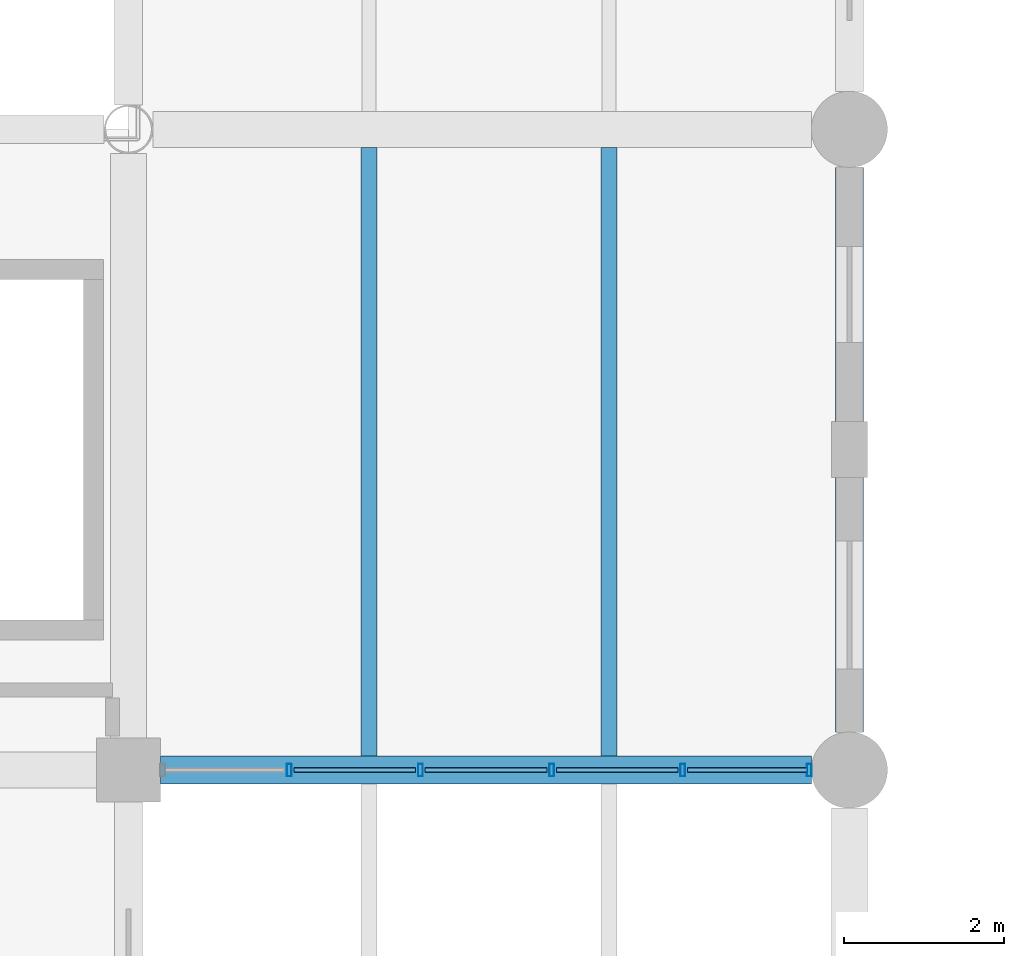
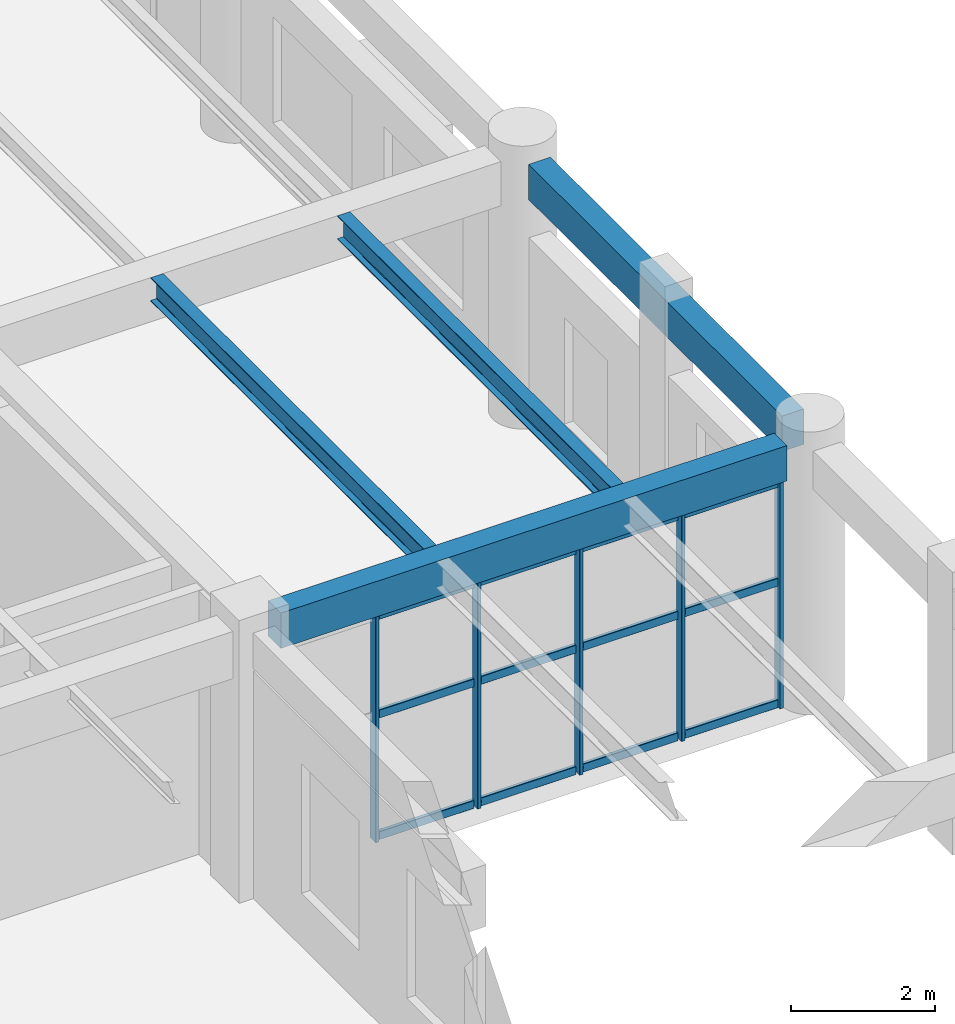
# One storey, part 44 of 178: 17 members, 4 beams, 1 element without a shape of its own.
"""IFC4 building model written with IfcOpenShell, lengths in metres."""

from ifc_helpers import new_model, si_unit, derived_unit, direction, frame, origin, origin_2d, place, context, subcontext, project, spatial, rectangle, hollow_rectangle, i_section, extrude, material, material_profile, profile_set, type_object, element, aggregate, save


model = new_model("IFC4")

# Units and contexts
model_context = context("Model", 3, precision=1e-05, world=origin(), true_north=direction((0.0, 1.0)))
body_context = subcontext(model_context, "Body", "Model", "MODEL_VIEW")
ifc_project = project(units=[si_unit("LENGTHUNIT", "METRE"), si_unit("AREAUNIT", "SQUARE_METRE"), si_unit("VOLUMEUNIT", "CUBIC_METRE"), si_unit("PLANEANGLEUNIT", "RADIAN"), si_unit("MASSUNIT", "GRAM", prefix="KILO"), derived_unit("THERMALTRANSMITTANCEUNIT", [(si_unit("MASSUNIT", "GRAM", prefix="KILO"), 1), (si_unit("TIMEUNIT", "SECOND"), -3), (si_unit("THERMODYNAMICTEMPERATUREUNIT", "KELVIN"), -1)])], contexts=[model_context])

# Site, building, storey
site_placement = place(None, origin())
site = spatial("IfcSite", under=ifc_project, at=site_placement, CompositionType="ELEMENT")
building_placement = place(site_placement, origin())
building = spatial("IfcBuilding", under=site, at=building_placement, Name="Zhenchuan Archway Interchange", CompositionType="ELEMENT")
storey_placement = place(building_placement, frame((0.0, 0.0, 5.39990234375)))
storey = spatial("IfcBuildingStorey", under=building, at=storey_placement, Name="L01", CompositionType="ELEMENT", Elevation=5.39990234375)

# Curtain wall, members
ifc_material_1 = material(Name="Anodised Aluminium", Category="aluminium")
curtain_wall_type = type_object("IfcCurtainWallType", Name="CW_UNIT_4", PredefinedType="NOTDEFINED", material=ifc_material_1)
curtain_wall_placement = place(storey_placement, origin())
curtain_wall = element("IfcCurtainWall", 1, at=curtain_wall_placement, inside=storey, type_object=curtain_wall_type, Name="Unitised curtain wall CW:L01:079", PredefinedType="NOTDEFINED")
ifc_material_profile_1 = material_profile(ifc_material_1, hollow_rectangle(XDim=0.06005859375, YDim=0.159912109375, WallThickness=0.00390625, InnerFilletRadius=0.00390625, OuterFilletRadius=0.008056640625, at=origin_2d()), Name="ALU 160x60x4")
ifc_profile_set_1 = profile_set([ifc_material_profile_1], Name="Anodised Aluminium")
member_type_1 = type_object("IfcMemberType", Name="CW_MUL_150", PredefinedType="MULLION", material=ifc_profile_set_1)
member_1_placement = place(storey_placement, frame((71.498046875, 24.0, 0.0), z_axis=(0.0, 0.0, 1.0), x_axis=(1.0, 0.0, 0.0)))
member_1 = element("IfcMember", 2, at=member_1_placement, type_object=member_type_1, Name="CW:L01:079 mullion 0", PredefinedType="MULLION", context=body_context, shape_type="SweptSolid", body=[
    extrude(hollow_rectangle(XDim=0.06005859375, YDim=0.159912109375, WallThickness=0.00390625, InnerFilletRadius=0.00390625, OuterFilletRadius=0.008056640625, at=origin_2d()), origin(), (0.0, 0.0, 1.0), 3.880126953125),
])
member_2_placement = place(storey_placement, frame((69.919921875, 24.0, 0.0), z_axis=(0.0, 0.0, 1.0), x_axis=(1.0, 0.0, 0.0)))
member_2 = element("IfcMember", 3, at=member_2_placement, type_object=member_type_1, Name="CW:L01:079 mullion 1", PredefinedType="MULLION", context=body_context, shape_type="SweptSolid", body=[
    extrude(hollow_rectangle(XDim=0.06005859375, YDim=0.159912109375, WallThickness=0.00390625, InnerFilletRadius=0.00390625, OuterFilletRadius=0.008056640625, at=origin_2d()), origin(), (0.0, 0.0, 1.0), 3.880126953125),
])
member_3_placement = place(storey_placement, frame((68.281982421875, 24.0, 0.0), z_axis=(0.0, 0.0, 1.0), x_axis=(1.0, 0.0, 0.0)))
member_3 = element("IfcMember", 4, at=member_3_placement, type_object=member_type_1, Name="CW:L01:079 mullion 2", PredefinedType="MULLION", context=body_context, shape_type="SweptSolid", body=[
    extrude(hollow_rectangle(XDim=0.06005859375, YDim=0.159912109375, WallThickness=0.00390625, InnerFilletRadius=0.00390625, OuterFilletRadius=0.008056640625, at=origin_2d()), origin(), (0.0, 0.0, 1.0), 3.880126953125),
])
member_4_placement = place(storey_placement, frame((66.64404296875, 24.0, 0.0), z_axis=(0.0, 0.0, 1.0), x_axis=(1.0, 0.0, 0.0)))
member_4 = element("IfcMember", 5, at=member_4_placement, type_object=member_type_1, Name="CW:L01:079 mullion 3", PredefinedType="MULLION", context=body_context, shape_type="SweptSolid", body=[
    extrude(hollow_rectangle(XDim=0.06005859375, YDim=0.159912109375, WallThickness=0.00390625, InnerFilletRadius=0.00390625, OuterFilletRadius=0.008056640625, at=origin_2d()), origin(), (0.0, 0.0, 1.0), 3.880126953125),
])
member_5_placement = place(storey_placement, frame((65.006103515625, 24.0, 0.0), z_axis=(0.0, 0.0, 1.0), x_axis=(1.0, 0.0, 0.0)))
member_5 = element("IfcMember", 6, at=member_5_placement, type_object=member_type_1, Name="CW:L01:079 mullion 4", PredefinedType="MULLION", context=body_context, shape_type="SweptSolid", body=[
    extrude(hollow_rectangle(XDim=0.06005859375, YDim=0.159912109375, WallThickness=0.00390625, InnerFilletRadius=0.00390625, OuterFilletRadius=0.008056640625, at=origin_2d()), origin(), (0.0, 0.0, 1.0), 3.880126953125),
])
ifc_material_profile_2 = material_profile(ifc_material_1, hollow_rectangle(XDim=0.06005859375, YDim=0.139892578125, WallThickness=0.00341796875, InnerFilletRadius=0.00341796875, OuterFilletRadius=0.007080078125, at=origin_2d()), Name="ALU 140x60x3.5")
ifc_profile_set_2 = profile_set([ifc_material_profile_2], Name="Anodised Aluminium")
member_type_2 = type_object("IfcMemberType", Name="CW_TRN_140", PredefinedType="USERDEFINED", material=ifc_profile_set_2)
member_6_placement = place(storey_placement, frame((71.47802734375, 24.0, 0.06005859375), z_axis=(-1.0, 0.0, 0.0), x_axis=(0.0, -1.0, 0.0)))
member_6 = element("IfcMember", 7, at=member_6_placement, type_object=member_type_2, Name="CW:L01:079 transom 0-1", ObjectType="TRANSOM", PredefinedType="USERDEFINED", context=body_context, shape_type="SweptSolid", body=[
    extrude(hollow_rectangle(XDim=0.06005859375, YDim=0.139892578125, WallThickness=0.00341796875, InnerFilletRadius=0.00341796875, OuterFilletRadius=0.007080078125, at=origin_2d()), origin(), (0.0, 0.0, 1.0), 1.498046875),
])
member_7_placement = place(storey_placement, frame((71.47802734375, 24.0, 2.123046875), z_axis=(-1.0, 0.0, 0.0), x_axis=(0.0, -1.0, 0.0)))
member_7 = element("IfcMember", 8, at=member_7_placement, type_object=member_type_2, Name="CW:L01:079 transom 0-2", ObjectType="TRANSOM", PredefinedType="USERDEFINED", context=body_context, shape_type="SweptSolid", body=[
    extrude(hollow_rectangle(XDim=0.06005859375, YDim=0.139892578125, WallThickness=0.00341796875, InnerFilletRadius=0.00341796875, OuterFilletRadius=0.007080078125, at=origin_2d()), origin(), (0.0, 0.0, 1.0), 1.498046875),
])
member_8_placement = place(storey_placement, frame((71.47802734375, 24.0, 3.800048828125), z_axis=(-1.0, 0.0, 0.0), x_axis=(0.0, -1.0, 0.0)))
member_8 = element("IfcMember", 9, at=member_8_placement, type_object=member_type_2, Name="CW:L01:079 transom 0-3", ObjectType="TRANSOM", PredefinedType="USERDEFINED", context=body_context, shape_type="SweptSolid", body=[
    extrude(hollow_rectangle(XDim=0.06005859375, YDim=0.139892578125, WallThickness=0.00341796875, InnerFilletRadius=0.00341796875, OuterFilletRadius=0.007080078125, at=origin_2d()), origin(), (0.0, 0.0, 1.0), 1.498046875),
])
member_9_placement = place(storey_placement, frame((69.860107421875, 24.0, 0.06005859375), z_axis=(-1.0, 0.0, 0.0), x_axis=(0.0, -1.0, 0.0)))
member_9 = element("IfcMember", 10, at=member_9_placement, type_object=member_type_2, Name="CW:L01:079 transom 1-1", ObjectType="TRANSOM", PredefinedType="USERDEFINED", context=body_context, shape_type="SweptSolid", body=[
    extrude(hollow_rectangle(XDim=0.06005859375, YDim=0.139892578125, WallThickness=0.00341796875, InnerFilletRadius=0.00341796875, OuterFilletRadius=0.007080078125, at=origin_2d()), origin(), (0.0, 0.0, 1.0), 1.51806640625),
])
member_10_placement = place(storey_placement, frame((69.860107421875, 24.0, 2.123046875), z_axis=(-1.0, 0.0, 0.0), x_axis=(0.0, -1.0, 0.0)))
member_10 = element("IfcMember", 11, at=member_10_placement, type_object=member_type_2, Name="CW:L01:079 transom 1-2", ObjectType="TRANSOM", PredefinedType="USERDEFINED", context=body_context, shape_type="SweptSolid", body=[
    extrude(hollow_rectangle(XDim=0.06005859375, YDim=0.139892578125, WallThickness=0.00341796875, InnerFilletRadius=0.00341796875, OuterFilletRadius=0.007080078125, at=origin_2d()), origin(), (0.0, 0.0, 1.0), 1.51806640625),
])
member_11_placement = place(storey_placement, frame((69.860107421875, 24.0, 3.800048828125), z_axis=(-1.0, 0.0, 0.0), x_axis=(0.0, -1.0, 0.0)))
member_11 = element("IfcMember", 12, at=member_11_placement, type_object=member_type_2, Name="CW:L01:079 transom 1-3", ObjectType="TRANSOM", PredefinedType="USERDEFINED", context=body_context, shape_type="SweptSolid", body=[
    extrude(hollow_rectangle(XDim=0.06005859375, YDim=0.139892578125, WallThickness=0.00341796875, InnerFilletRadius=0.00341796875, OuterFilletRadius=0.007080078125, at=origin_2d()), origin(), (0.0, 0.0, 1.0), 1.51806640625),
])
member_12_placement = place(storey_placement, frame((68.221923828125, 24.0, 0.06005859375), z_axis=(-1.0, 0.0, 0.0), x_axis=(0.0, -1.0, 0.0)))
member_12 = element("IfcMember", 13, at=member_12_placement, type_object=member_type_2, Name="CW:L01:079 transom 2-1", ObjectType="TRANSOM", PredefinedType="USERDEFINED", context=body_context, shape_type="SweptSolid", body=[
    extrude(hollow_rectangle(XDim=0.06005859375, YDim=0.139892578125, WallThickness=0.00341796875, InnerFilletRadius=0.00341796875, OuterFilletRadius=0.007080078125, at=origin_2d()), origin(), (0.0, 0.0, 1.0), 1.517822265625),
])
member_13_placement = place(storey_placement, frame((68.221923828125, 24.0, 2.123046875), z_axis=(-1.0, 0.0, 0.0), x_axis=(0.0, -1.0, 0.0)))
member_13 = element("IfcMember", 14, at=member_13_placement, type_object=member_type_2, Name="CW:L01:079 transom 2-2", ObjectType="TRANSOM", PredefinedType="USERDEFINED", context=body_context, shape_type="SweptSolid", body=[
    extrude(hollow_rectangle(XDim=0.06005859375, YDim=0.139892578125, WallThickness=0.00341796875, InnerFilletRadius=0.00341796875, OuterFilletRadius=0.007080078125, at=origin_2d()), origin(), (0.0, 0.0, 1.0), 1.517822265625),
])
member_14_placement = place(storey_placement, frame((68.221923828125, 24.0, 3.800048828125), z_axis=(-1.0, 0.0, 0.0), x_axis=(0.0, -1.0, 0.0)))
member_14 = element("IfcMember", 15, at=member_14_placement, type_object=member_type_2, Name="CW:L01:079 transom 2-3", ObjectType="TRANSOM", PredefinedType="USERDEFINED", context=body_context, shape_type="SweptSolid", body=[
    extrude(hollow_rectangle(XDim=0.06005859375, YDim=0.139892578125, WallThickness=0.00341796875, InnerFilletRadius=0.00341796875, OuterFilletRadius=0.007080078125, at=origin_2d()), origin(), (0.0, 0.0, 1.0), 1.517822265625),
])
member_15_placement = place(storey_placement, frame((66.583984375, 24.0, 0.06005859375), z_axis=(-1.0, 0.0, 0.0), x_axis=(0.0, -1.0, 0.0)))
member_15 = element("IfcMember", 16, at=member_15_placement, type_object=member_type_2, Name="CW:L01:079 transom 3-1", ObjectType="TRANSOM", PredefinedType="USERDEFINED", context=body_context, shape_type="SweptSolid", body=[
    extrude(hollow_rectangle(XDim=0.06005859375, YDim=0.139892578125, WallThickness=0.00341796875, InnerFilletRadius=0.00341796875, OuterFilletRadius=0.007080078125, at=origin_2d()), origin(), (0.0, 0.0, 1.0), 1.51806640625),
])
member_16_placement = place(storey_placement, frame((66.583984375, 24.0, 2.123046875), z_axis=(-1.0, 0.0, 0.0), x_axis=(0.0, -1.0, 0.0)))
member_16 = element("IfcMember", 17, at=member_16_placement, type_object=member_type_2, Name="CW:L01:079 transom 3-2", ObjectType="TRANSOM", PredefinedType="USERDEFINED", context=body_context, shape_type="SweptSolid", body=[
    extrude(hollow_rectangle(XDim=0.06005859375, YDim=0.139892578125, WallThickness=0.00341796875, InnerFilletRadius=0.00341796875, OuterFilletRadius=0.007080078125, at=origin_2d()), origin(), (0.0, 0.0, 1.0), 1.51806640625),
])
member_17_placement = place(storey_placement, frame((66.583984375, 24.0, 3.800048828125), z_axis=(-1.0, 0.0, 0.0), x_axis=(0.0, -1.0, 0.0)))
member_17 = element("IfcMember", 18, at=member_17_placement, type_object=member_type_2, Name="CW:L01:079 transom 3-3", ObjectType="TRANSOM", PredefinedType="USERDEFINED", context=body_context, shape_type="SweptSolid", body=[
    extrude(hollow_rectangle(XDim=0.06005859375, YDim=0.139892578125, WallThickness=0.00341796875, InnerFilletRadius=0.00341796875, OuterFilletRadius=0.007080078125, at=origin_2d()), origin(), (0.0, 0.0, 1.0), 1.51806640625),
])
aggregate(curtain_wall, [member_1, member_2, member_3, member_4, member_5, member_6, member_7, member_8, member_9, member_10, member_11, member_12, member_13, member_14, member_15, member_16, member_17])

# Beams
ifc_material_2 = material(Name="Steel Q355", Category="steel")
ifc_material_profile_3 = material_profile(ifc_material_2, i_section(OverallWidth=0.199951171875, OverallDepth=0.39990234375, WebThickness=0.008056640625, FlangeThickness=0.012939453125, FilletRadius=0.01611328125, at=origin_2d()), Name="HN 400x200")
ifc_profile_set_3 = profile_set([ifc_material_profile_3], Name="Steel Q355")
beam_type_1 = type_object("IfcBeamType", Name="JST_STL_HN400", PredefinedType="JOIST", material=ifc_profile_set_3)
for number, where, z_axis, x_axis, name in (
    (19, (66.0, 24.175048828125, 4.31005859375), (0.0, 1.0, 0.0), (-1.0, 0.0, 0.0), "Secondary joist 8-9/D-E #1 (L01)"),
    (20, (69.0, 24.175048828125, 4.31005859375), (0.0, 1.0, 0.0), (-1.0, 0.0, 0.0), "Secondary joist 8-9/D-E #2 (L01)"),
):
    element("IfcBeam", number, at=place(storey_placement, frame(where, z_axis=z_axis, x_axis=x_axis)), inside=storey, type_object=beam_type_1, Name=name, PredefinedType="JOIST", context=body_context, shape_type="SweptSolid", body=[
        extrude(i_section(OverallWidth=0.199951171875, OverallDepth=0.39990234375, WebThickness=0.008056640625, FlangeThickness=0.012939453125, FilletRadius=0.01611328125, at=origin_2d()), origin(), (0.0, 0.0, 1.0), 7.599853515625),
    ])
ifc_material_3 = material(Name="Concrete C40", Category="concrete")
ifc_material_profile_4 = material_profile(ifc_material_3, rectangle(XDim=0.35009765625, YDim=0.60009765625, at=origin_2d()), Name="RC 350x600")
ifc_profile_set_4 = profile_set([ifc_material_profile_4], Name="Concrete C40")
beam_type_2 = type_object("IfcBeamType", Name="SP_RC_350x600", PredefinedType="SPANDREL", material=ifc_profile_set_4)
beam_1_placement = place(storey_placement, frame((63.39990234375, 24.0, 4.210205078125), z_axis=(1.0, 0.0, 0.0), x_axis=(0.0, 1.0, 0.0)))
element("IfcBeam", 21, at=beam_1_placement, inside=storey, type_object=beam_type_2, Name="Beam D:8-9 (L01)", PredefinedType="SPANDREL", context=body_context, shape_type="SweptSolid", body=[
    extrude(rectangle(XDim=0.35009765625, YDim=0.60009765625, at=origin_2d()), origin(), (0.0, 0.0, 1.0), 8.125),
])
beam_2_placement = place(storey_placement, frame((72.0, 24.47509765625, 4.210205078125), z_axis=(0.0, 1.0, 0.0), x_axis=(-1.0, 0.0, 0.0)))
element("IfcBeam", 22, at=beam_2_placement, inside=storey, type_object=beam_type_2, Name="Beam 9:D-E (L01)", PredefinedType="SPANDREL", context=body_context, shape_type="SweptSolid", body=[
    extrude(rectangle(XDim=0.35009765625, YDim=0.60009765625, at=origin_2d()), origin(), (0.0, 0.0, 1.0), 7.0498046875),
])

save(model, "model.ifc")
